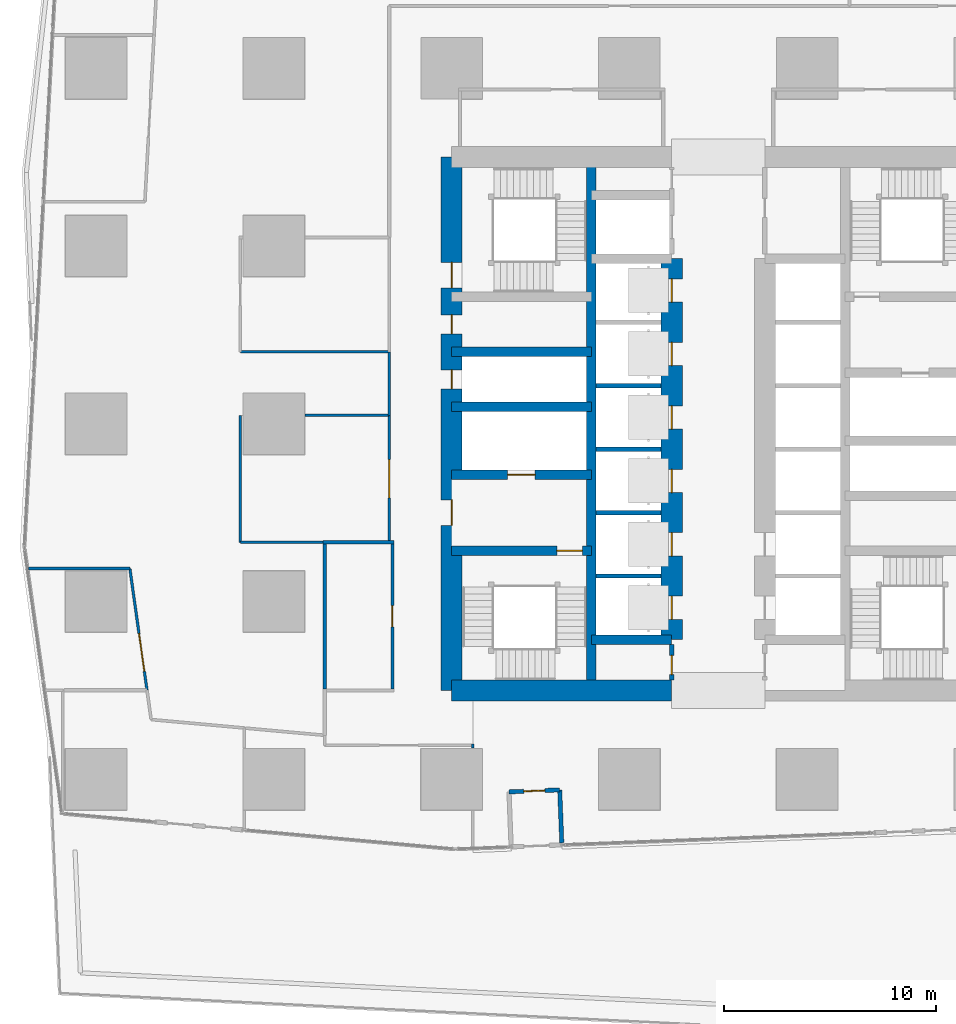
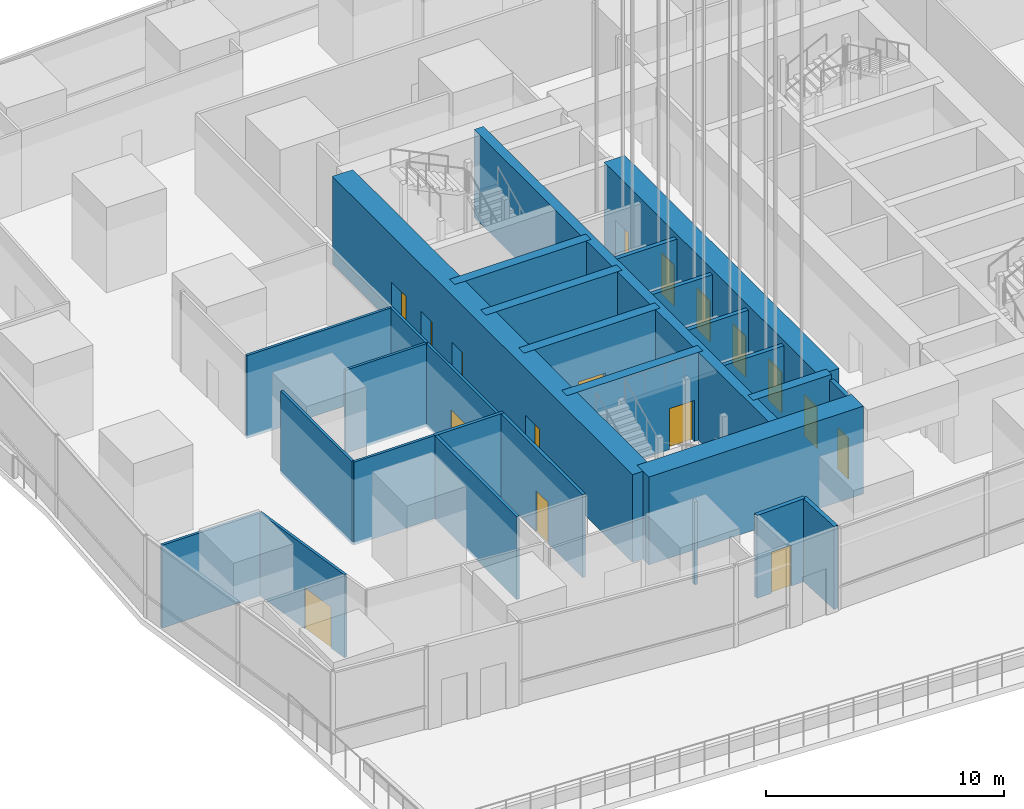
# One storey, part 19 of 44: 28 walls, 17 doors, 17 openings.
"""IFC4 building model written with IfcOpenShell, lengths in metres."""

from ifc_helpers import new_model, si_unit, direction, frame, frame_2d, origin, place, context, subcontext, project, spatial, rectangle, extrude, material, layer, layer_set, type_object, element, fill, save


model = new_model("IFC4")

# Units and contexts
model_context = context("Model", 3, precision=1e-05, world=origin(), true_north=direction((0.0, 1.0)))
body_context = subcontext(model_context, "Body", "Model", "MODEL_VIEW")
ifc_project = project(units=[si_unit("LENGTHUNIT", "METRE"), si_unit("AREAUNIT", "SQUARE_METRE"), si_unit("VOLUMEUNIT", "CUBIC_METRE"), si_unit("PLANEANGLEUNIT", "RADIAN"), si_unit("MASSUNIT", "GRAM", prefix="KILO")], contexts=[model_context])

# Site, building, storey
site_placement = place(None, origin())
site = spatial("IfcSite", under=ifc_project, at=site_placement, CompositionType="ELEMENT")
building_placement = place(site_placement, origin())
building = spatial("IfcBuilding", under=site, at=building_placement, Name="Rekha Terrace Tower", CompositionType="ELEMENT")
storey_placement = place(building_placement, frame((0.0, 0.0, 90.800048828125)))
storey = spatial("IfcBuildingStorey", under=building, at=storey_placement, Name="L22", CompositionType="ELEMENT", Elevation=90.800048828125)

# Walls
ifc_material_1 = material(Name="Concrete M70", Category="concrete")
ifc_layer_1 = layer(ifc_material_1, 0.449951171875)
ifc_layer_set_1 = layer_set([ifc_layer_1], Name="Concrete M70")
wall_type_1 = type_object("IfcWallType", Name="CI2 450 core internal shear wall", PredefinedType="SHEAR", material=ifc_layer_set_1)
wall_1_placement = place(storey_placement, frame((31.800048828125, 21.0, 0.0), z_axis=(0.0, 0.0, 1.0), x_axis=(0.0, 1.0, 0.0)))
element("IfcWall", 1, at=wall_1_placement, inside=storey, type_object=wall_type_1, Name="Core wall X318 L22", PredefinedType="SHEAR", context=body_context, shape_type="SweptSolid", body=[
    extrude(rectangle(XDim=25.199951171875, YDim=0.449951171875, at=frame_2d((12.60009765625, 0.0))), origin(), (0.0, 0.0, 1.0), 4.5),
])
wall_2_placement = place(storey_placement, frame((31.800048828125, 23.39990234375, 0.0), z_axis=(0.0, 0.0, 1.0), x_axis=(1.0, 0.0, 0.0)))
element("IfcWall", 2, at=wall_2_placement, inside=storey, type_object=wall_type_1, Name="Core wall Y234W L22", PredefinedType="SHEAR", context=body_context, shape_type="SweptSolid", body=[
    extrude(rectangle(XDim=3.800048828125, YDim=0.449951171875, at=frame_2d((1.89990234375, 0.0))), origin(), (0.0, 0.0, 1.0), 4.5),
])

# Wall, opening, door
wall_3_placement = place(storey_placement, frame((25.199951171875, 27.60009765625, 0.0), z_axis=(0.0, 0.0, 1.0), x_axis=(1.0, 0.0, 0.0)))
wall_3 = element("IfcWall", 3, at=wall_3_placement, inside=storey, type_object=wall_type_1, Name="Core wall Y276W L22", PredefinedType="SHEAR", context=body_context, shape_type="SweptSolid", body=[
    extrude(rectangle(XDim=6.60009765625, YDim=0.449951171875, at=frame_2d((3.300048828125, 0.0))), origin(), (0.0, 0.0, 1.0), 4.5),
])
opening_1_placement = place(wall_3_placement, frame((4.97509765625, 0.0, 0.0)))
opening_1 = element("IfcOpeningElement", 4, at=opening_1_placement, cuts=wall_3, Name="Opening D1", PredefinedType="OPENING", context=body_context, shape_type="SweptSolid", body=[
    extrude(rectangle(XDim=1.199951171875, YDim=2.10009765625, at=frame_2d((0.60009765625, 1.050048828125))), frame((0.0, 0.23486328125, 0.0), z_axis=(0.0, -1.0, 0.0), x_axis=(1.0, 0.0, 0.0)), (0.0, 0.0, 1.0), 0.469970703125),
])
ifc_material_2 = material(Name="Steel fire door", Category="steel")
door_type_1 = type_object("IfcDoorType", Name="D1 1200x2100 stair fire door", OperationType="SINGLE_SWING_RIGHT", PredefinedType="DOOR", material=ifc_material_2)
door_1_placement = place(opening_1_placement, origin())
door_1 = element("IfcDoor", 5, at=door_1_placement, inside=storey, type_object=door_type_1, Name="Stair ST1 door L22", OperationType="SINGLE_SWING_RIGHT", OverallHeight=2.10009765625, OverallWidth=1.199951171875, PredefinedType="DOOR", context=body_context, shape_type="SweptSolid", body=[
    extrude(rectangle(XDim=1.199951171875, YDim=2.10009765625, at=frame_2d((0.60009765625, 1.050048828125))), frame((0.0, 0.02490234375, 0.0), z_axis=(0.0, -1.0, 0.0), x_axis=(1.0, 0.0, 0.0)), (0.0, 0.0, 1.0), 0.050048828125),
])
fill(opening_1, door_1)

wall_4_placement = place(storey_placement, frame((25.199951171875, 31.199951171875, 0.0), z_axis=(0.0, 0.0, 1.0), x_axis=(1.0, 0.0, 0.0)))
wall_4 = element("IfcWall", 6, at=wall_4_placement, inside=storey, type_object=wall_type_1, Name="Core wall Y312W L22", PredefinedType="SHEAR", context=body_context, shape_type="SweptSolid", body=[
    extrude(rectangle(XDim=6.60009765625, YDim=0.449951171875, at=frame_2d((3.300048828125, 0.0))), origin(), (0.0, 0.0, 1.0), 4.5),
])
opening_2_placement = place(wall_4_placement, frame((2.64990234375, 0.0, 0.0)))
opening_2 = element("IfcOpeningElement", 7, at=opening_2_placement, cuts=wall_4, Name="Opening LD2", PredefinedType="OPENING", context=body_context, shape_type="SweptSolid", body=[
    extrude(rectangle(XDim=1.300048828125, YDim=2.10009765625, at=frame_2d((0.64990234375, 1.050048828125))), frame((0.0, 0.23486328125, 0.0), z_axis=(0.0, -1.0, 0.0), x_axis=(1.0, 0.0, 0.0)), (0.0, 0.0, 1.0), 0.469970703125),
])
ifc_material_3 = material(Name="Stainless steel sliding landing door", Category="steel")
door_type_2 = type_object("IfcDoorType", Name="LD2 1300x2100 fire lift landing door", OperationType="SLIDING_TO_LEFT", PredefinedType="USERDEFINED", material=ifc_material_3)
door_2_placement = place(opening_2_placement, origin())
door_2 = element("IfcDoor", 8, at=door_2_placement, inside=storey, type_object=door_type_2, Name="Lift FL1 landing door L22", ObjectType="LIFT LANDING DOOR", OperationType="SLIDING_TO_LEFT", OverallHeight=2.10009765625, OverallWidth=1.300048828125, PredefinedType="USERDEFINED", context=body_context, shape_type="SweptSolid", body=[
    extrude(rectangle(XDim=1.300048828125, YDim=2.10009765625, at=frame_2d((0.64990234375, 1.050048828125))), frame((0.0, 0.02490234375, 0.0), z_axis=(0.0, -1.0, 0.0), x_axis=(1.0, 0.0, 0.0)), (0.0, 0.0, 1.0), 0.050048828125),
])
fill(opening_2, door_2)

# Walls
for number, where, z_axis, x_axis, name in (
    (9, (25.199951171875, 34.39990234375, 0.0), (0.0, 0.0, 1.0), (1.0, 0.0, 0.0), "Core wall Y344W L22"),
    (10, (25.199951171875, 37.0, 0.0), (0.0, 0.0, 1.0), (1.0, 0.0, 0.0), "Core wall Y370W L22"),
):
    element("IfcWall", number, at=place(storey_placement, frame(where, z_axis=z_axis, x_axis=x_axis)), inside=storey, type_object=wall_type_1, Name=name, PredefinedType="SHEAR", context=body_context, shape_type="SweptSolid", body=[
        extrude(rectangle(XDim=6.60009765625, YDim=0.449951171875, at=frame_2d((3.300048828125, 0.0))), origin(), (0.0, 0.0, 1.0), 4.5),
    ])

# Wall, openings, doors
ifc_layer_2 = layer(ifc_material_1, 1.0)
ifc_layer_set_2 = layer_set([ifc_layer_2], Name="Concrete M70")
wall_type_2 = type_object("IfcWallType", Name="LW2 1000 core lobby wall at an outrigger level", PredefinedType="SHEAR", material=ifc_layer_set_2)
wall_5_placement = place(storey_placement, frame((35.60009765625, 23.39990234375, 0.0), z_axis=(0.0, 0.0, 1.0), x_axis=(0.0, 1.0, 0.0)))
wall_5 = element("IfcWall", 11, at=wall_5_placement, inside=storey, type_object=wall_type_2, Name="Core wall X356 L22", PredefinedType="SHEAR", context=body_context, shape_type="SweptSolid", body=[
    extrude(rectangle(XDim=18.0, YDim=1.0, at=frame_2d((9.0, 0.0))), origin(), (0.0, 0.0, 1.0), 4.5),
])
opening_3_placement = place(wall_5_placement, frame((0.949951171875, 0.0, 0.0)))
opening_3 = element("IfcOpeningElement", 12, at=opening_3_placement, cuts=wall_5, Name="Opening LD1", PredefinedType="OPENING", context=body_context, shape_type="SweptSolid", body=[
    extrude(rectangle(XDim=1.10009765625, YDim=2.10009765625, at=frame_2d((0.550048828125, 1.050048828125))), frame((0.0, 0.510009765625, 0.0), z_axis=(0.0, -1.0, 0.0), x_axis=(1.0, 0.0, 0.0)), (0.0, 0.0, 1.0), 1.02001953125),
])
opening_4_placement = place(wall_5_placement, frame((3.949951171875, 0.0, 0.0)))
opening_4 = element("IfcOpeningElement", 13, at=opening_4_placement, cuts=wall_5, Name="Opening LD1", PredefinedType="OPENING", context=body_context, shape_type="SweptSolid", body=[
    extrude(rectangle(XDim=1.10009765625, YDim=2.10009765625, at=frame_2d((0.550048828125, 1.050048828125))), frame((0.0, 0.510009765625, 0.0), z_axis=(0.0, -1.0, 0.0), x_axis=(1.0, 0.0, 0.0)), (0.0, 0.0, 1.0), 1.02001953125),
])
opening_5_placement = place(wall_5_placement, frame((6.949951171875, 0.0, 0.0)))
opening_5 = element("IfcOpeningElement", 14, at=opening_5_placement, cuts=wall_5, Name="Opening LD1", PredefinedType="OPENING", context=body_context, shape_type="SweptSolid", body=[
    extrude(rectangle(XDim=1.10009765625, YDim=2.10009765625, at=frame_2d((0.550048828125, 1.050048828125))), frame((0.0, 0.510009765625, 0.0), z_axis=(0.0, -1.0, 0.0), x_axis=(1.0, 0.0, 0.0)), (0.0, 0.0, 1.0), 1.02001953125),
])
opening_6_placement = place(wall_5_placement, frame((9.949951171875, 0.0, 0.0)))
opening_6 = element("IfcOpeningElement", 15, at=opening_6_placement, cuts=wall_5, Name="Opening LD1", PredefinedType="OPENING", context=body_context, shape_type="SweptSolid", body=[
    extrude(rectangle(XDim=1.10009765625, YDim=2.10009765625, at=frame_2d((0.550048828125, 1.050048828125))), frame((0.0, 0.510009765625, 0.0), z_axis=(0.0, -1.0, 0.0), x_axis=(1.0, 0.0, 0.0)), (0.0, 0.0, 1.0), 1.02001953125),
])
opening_7_placement = place(wall_5_placement, frame((12.949951171875, 0.0, 0.0)))
opening_7 = element("IfcOpeningElement", 16, at=opening_7_placement, cuts=wall_5, Name="Opening LD1", PredefinedType="OPENING", context=body_context, shape_type="SweptSolid", body=[
    extrude(rectangle(XDim=1.10009765625, YDim=2.10009765625, at=frame_2d((0.550048828125, 1.050048828125))), frame((0.0, 0.510009765625, 0.0), z_axis=(0.0, -1.0, 0.0), x_axis=(1.0, 0.0, 0.0)), (0.0, 0.0, 1.0), 1.02001953125),
])
opening_8_placement = place(wall_5_placement, frame((15.949951171875, 0.0, 0.0)))
opening_8 = element("IfcOpeningElement", 17, at=opening_8_placement, cuts=wall_5, Name="Opening LD1", PredefinedType="OPENING", context=body_context, shape_type="SweptSolid", body=[
    extrude(rectangle(XDim=1.10009765625, YDim=2.10009765625, at=frame_2d((0.550048828125, 1.050048828125))), frame((0.0, 0.510009765625, 0.0), z_axis=(0.0, -1.0, 0.0), x_axis=(1.0, 0.0, 0.0)), (0.0, 0.0, 1.0), 1.02001953125),
])
door_type_3 = type_object("IfcDoorType", Name="LD1 1100x2100 lift landing door", OperationType="SLIDING_TO_LEFT", PredefinedType="USERDEFINED", material=ifc_material_3)
door_3_placement = place(opening_3_placement, origin())
door_3 = element("IfcDoor", 18, at=door_3_placement, inside=storey, type_object=door_type_3, Name="Lift B1 landing door L22", ObjectType="LIFT LANDING DOOR", OperationType="SLIDING_TO_LEFT", OverallHeight=2.10009765625, OverallWidth=1.10009765625, PredefinedType="USERDEFINED", context=body_context, shape_type="SweptSolid", body=[
    extrude(rectangle(XDim=1.10009765625, YDim=2.10009765625, at=frame_2d((0.550048828125, 1.050048828125))), frame((0.0, 0.02490234375, 0.0), z_axis=(0.0, -1.0, 0.0), x_axis=(1.0, 0.0, 0.0)), (0.0, 0.0, 1.0), 0.050048828125),
])
fill(opening_3, door_3)
door_4_placement = place(opening_4_placement, origin())
door_4 = element("IfcDoor", 19, at=door_4_placement, inside=storey, type_object=door_type_3, Name="Lift B2 landing door L22", ObjectType="LIFT LANDING DOOR", OperationType="SLIDING_TO_LEFT", OverallHeight=2.10009765625, OverallWidth=1.10009765625, PredefinedType="USERDEFINED", context=body_context, shape_type="SweptSolid", body=[
    extrude(rectangle(XDim=1.10009765625, YDim=2.10009765625, at=frame_2d((0.550048828125, 1.050048828125))), frame((0.0, 0.02490234375, 0.0), z_axis=(0.0, -1.0, 0.0), x_axis=(1.0, 0.0, 0.0)), (0.0, 0.0, 1.0), 0.050048828125),
])
fill(opening_4, door_4)
door_5_placement = place(opening_5_placement, origin())
door_5 = element("IfcDoor", 20, at=door_5_placement, inside=storey, type_object=door_type_3, Name="Lift B3 landing door L22", ObjectType="LIFT LANDING DOOR", OperationType="SLIDING_TO_LEFT", OverallHeight=2.10009765625, OverallWidth=1.10009765625, PredefinedType="USERDEFINED", context=body_context, shape_type="SweptSolid", body=[
    extrude(rectangle(XDim=1.10009765625, YDim=2.10009765625, at=frame_2d((0.550048828125, 1.050048828125))), frame((0.0, 0.02490234375, 0.0), z_axis=(0.0, -1.0, 0.0), x_axis=(1.0, 0.0, 0.0)), (0.0, 0.0, 1.0), 0.050048828125),
])
fill(opening_5, door_5)
door_6_placement = place(opening_6_placement, origin())
door_6 = element("IfcDoor", 21, at=door_6_placement, inside=storey, type_object=door_type_3, Name="Lift B4 landing door L22", ObjectType="LIFT LANDING DOOR", OperationType="SLIDING_TO_LEFT", OverallHeight=2.10009765625, OverallWidth=1.10009765625, PredefinedType="USERDEFINED", context=body_context, shape_type="SweptSolid", body=[
    extrude(rectangle(XDim=1.10009765625, YDim=2.10009765625, at=frame_2d((0.550048828125, 1.050048828125))), frame((0.0, 0.02490234375, 0.0), z_axis=(0.0, -1.0, 0.0), x_axis=(1.0, 0.0, 0.0)), (0.0, 0.0, 1.0), 0.050048828125),
])
fill(opening_6, door_6)
door_7_placement = place(opening_7_placement, origin())
door_7 = element("IfcDoor", 22, at=door_7_placement, inside=storey, type_object=door_type_3, Name="Lift B5 landing door L22", ObjectType="LIFT LANDING DOOR", OperationType="SLIDING_TO_LEFT", OverallHeight=2.10009765625, OverallWidth=1.10009765625, PredefinedType="USERDEFINED", context=body_context, shape_type="SweptSolid", body=[
    extrude(rectangle(XDim=1.10009765625, YDim=2.10009765625, at=frame_2d((0.550048828125, 1.050048828125))), frame((0.0, 0.02490234375, 0.0), z_axis=(0.0, -1.0, 0.0), x_axis=(1.0, 0.0, 0.0)), (0.0, 0.0, 1.0), 0.050048828125),
])
fill(opening_7, door_7)
door_8_placement = place(opening_8_placement, origin())
door_8 = element("IfcDoor", 23, at=door_8_placement, inside=storey, type_object=door_type_3, Name="Lift B6 landing door L22", ObjectType="LIFT LANDING DOOR", OperationType="SLIDING_TO_LEFT", OverallHeight=2.10009765625, OverallWidth=1.10009765625, PredefinedType="USERDEFINED", context=body_context, shape_type="SweptSolid", body=[
    extrude(rectangle(XDim=1.10009765625, YDim=2.10009765625, at=frame_2d((0.550048828125, 1.050048828125))), frame((0.0, 0.02490234375, 0.0), z_axis=(0.0, -1.0, 0.0), x_axis=(1.0, 0.0, 0.0)), (0.0, 0.0, 1.0), 0.050048828125),
])
fill(opening_8, door_8)

# Wall
ifc_layer_3 = layer(ifc_material_1, 1.0)
ifc_layer_set_3 = layer_set([ifc_layer_3], Name="Concrete M70")
wall_type_3 = type_object("IfcWallType", Name="SW2 1000 core outer shear wall", PredefinedType="SHEAR", material=ifc_layer_set_3)
wall_6_placement = place(storey_placement, frame((25.199951171875, 21.0, 0.0), z_axis=(0.0, 0.0, 1.0), x_axis=(1.0, 0.0, 0.0)))
element("IfcWall", 24, at=wall_6_placement, inside=storey, type_object=wall_type_3, Name="Core wall S1 L22", PredefinedType="SHEAR", context=body_context, shape_type="SweptSolid", body=[
    extrude(rectangle(XDim=10.400146484375, YDim=1.0, at=frame_2d((5.2001953125, 0.0))), origin(), (0.0, 0.0, 1.0), 4.5),
])

# Wall, openings, doors
wall_7_placement = place(storey_placement, frame((25.199951171875, 21.0, 0.0), z_axis=(0.0, 0.0, 1.0), x_axis=(0.0, 1.0, 0.0)))
wall_7 = element("IfcWall", 25, at=wall_7_placement, inside=storey, type_object=wall_type_3, Name="Core wall W L22", PredefinedType="SHEAR", context=body_context, shape_type="SweptSolid", body=[
    extrude(rectangle(XDim=25.199951171875, YDim=1.0, at=frame_2d((12.60009765625, 0.0))), origin(), (0.0, 0.0, 1.0), 4.5),
])
opening_9_placement = place(wall_7_placement, frame((7.800048828125, 0.0, 0.0)))
opening_9 = element("IfcOpeningElement", 26, at=opening_9_placement, cuts=wall_7, Name="Opening D2", PredefinedType="OPENING", context=body_context, shape_type="SweptSolid", body=[
    extrude(rectangle(XDim=1.199951171875, YDim=2.10009765625, at=frame_2d((0.60009765625, 1.050048828125))), frame((0.0, 0.510009765625, 0.0), z_axis=(0.0, -1.0, 0.0), x_axis=(1.0, 0.0, 0.0)), (0.0, 0.0, 1.0), 1.02001953125),
])
opening_10_placement = place(wall_7_placement, frame((14.25, 0.0, 0.0)))
opening_10 = element("IfcOpeningElement", 27, at=opening_10_placement, cuts=wall_7, Name="Opening D5", PredefinedType="OPENING", context=body_context, shape_type="SweptSolid", body=[
    extrude(rectangle(XDim=0.89990234375, YDim=2.10009765625, at=frame_2d((0.449951171875, 1.050048828125))), frame((0.0, 0.510009765625, 0.0), z_axis=(0.0, -1.0, 0.0), x_axis=(1.0, 0.0, 0.0)), (0.0, 0.0, 1.0), 1.02001953125),
])
opening_11_placement = place(wall_7_placement, frame((16.85009765625, 0.0, 0.0)))
opening_11 = element("IfcOpeningElement", 28, at=opening_11_placement, cuts=wall_7, Name="Opening D5", PredefinedType="OPENING", context=body_context, shape_type="SweptSolid", body=[
    extrude(rectangle(XDim=0.89990234375, YDim=2.10009765625, at=frame_2d((0.449951171875, 1.050048828125))), frame((0.0, 0.510009765625, 0.0), z_axis=(0.0, -1.0, 0.0), x_axis=(1.0, 0.0, 0.0)), (0.0, 0.0, 1.0), 1.02001953125),
])
opening_12_placement = place(wall_7_placement, frame((19.02490234375, 0.0, 0.0)))
opening_12 = element("IfcOpeningElement", 29, at=opening_12_placement, cuts=wall_7, Name="Opening D1", PredefinedType="OPENING", context=body_context, shape_type="SweptSolid", body=[
    extrude(rectangle(XDim=1.199951171875, YDim=2.10009765625, at=frame_2d((0.60009765625, 1.050048828125))), frame((0.0, 0.510009765625, 0.0), z_axis=(0.0, -1.0, 0.0), x_axis=(1.0, 0.0, 0.0)), (0.0, 0.0, 1.0), 1.02001953125),
])
door_9_placement = place(opening_12_placement, origin())
door_9 = element("IfcDoor", 30, at=door_9_placement, inside=storey, type_object=door_type_1, Name="Stair ST4 door L22", OperationType="SINGLE_SWING_RIGHT", OverallHeight=2.10009765625, OverallWidth=1.199951171875, PredefinedType="DOOR", context=body_context, shape_type="SweptSolid", body=[
    extrude(rectangle(XDim=1.199951171875, YDim=2.10009765625, at=frame_2d((0.60009765625, 1.050048828125))), frame((0.0, 0.02490234375, 0.0), z_axis=(0.0, -1.0, 0.0), x_axis=(1.0, 0.0, 0.0)), (0.0, 0.0, 1.0), 0.050048828125),
])
fill(opening_12, door_9)
door_type_4 = type_object("IfcDoorType", Name="D2 1200x2100 firefighting lobby door", OperationType="SINGLE_SWING_LEFT", PredefinedType="DOOR", material=ifc_material_2)
door_10_placement = place(opening_9_placement, origin())
door_10 = element("IfcDoor", 31, at=door_10_placement, inside=storey, type_object=door_type_4, Name="Door flb1 L22", OperationType="SINGLE_SWING_LEFT", OverallHeight=2.10009765625, OverallWidth=1.199951171875, PredefinedType="DOOR", context=body_context, shape_type="SweptSolid", body=[
    extrude(rectangle(XDim=1.199951171875, YDim=2.10009765625, at=frame_2d((0.60009765625, 1.050048828125))), frame((0.0, 0.02490234375, 0.0), z_axis=(0.0, -1.0, 0.0), x_axis=(1.0, 0.0, 0.0)), (0.0, 0.0, 1.0), 0.050048828125),
])
fill(opening_9, door_10)
door_type_5 = type_object("IfcDoorType", Name="D5 900x2100 riser access door", OperationType="SINGLE_SWING_LEFT", PredefinedType="DOOR", material=ifc_material_2)
door_11_placement = place(opening_10_placement, origin())
door_11 = element("IfcDoor", 32, at=door_11_placement, inside=storey, type_object=door_type_5, Name="Door rs1 L22", OperationType="SINGLE_SWING_LEFT", OverallHeight=2.10009765625, OverallWidth=0.89990234375, PredefinedType="DOOR", context=body_context, shape_type="SweptSolid", body=[
    extrude(rectangle(XDim=0.89990234375, YDim=2.10009765625, at=frame_2d((0.449951171875, 1.050048828125))), frame((0.0, 0.02490234375, 0.0), z_axis=(0.0, -1.0, 0.0), x_axis=(1.0, 0.0, 0.0)), (0.0, 0.0, 1.0), 0.050048828125),
])
fill(opening_10, door_11)
door_12_placement = place(opening_11_placement, origin())
door_12 = element("IfcDoor", 33, at=door_12_placement, inside=storey, type_object=door_type_5, Name="Door elw L22", OperationType="SINGLE_SWING_LEFT", OverallHeight=2.10009765625, OverallWidth=0.89990234375, PredefinedType="DOOR", context=body_context, shape_type="SweptSolid", body=[
    extrude(rectangle(XDim=0.89990234375, YDim=2.10009765625, at=frame_2d((0.449951171875, 1.050048828125))), frame((0.0, 0.02490234375, 0.0), z_axis=(0.0, -1.0, 0.0), x_axis=(1.0, 0.0, 0.0)), (0.0, 0.0, 1.0), 0.050048828125),
])
fill(opening_11, door_12)

# Wall, opening, door
ifc_material_4 = material(Name="Solid concrete block masonry, 2 hour", Category="masonry")
ifc_layer_4 = layer(ifc_material_4, 0.199951171875)
ifc_layer_set_4 = layer_set([ifc_layer_4], Name="Solid concrete block masonry, 2 hour")
wall_type_4 = type_object("IfcWallType", Name="WP1 200 plant room wall", PredefinedType="PARTITIONING", material=ifc_layer_set_4)
wall_8_placement = place(storey_placement, frame((27.908935546875, 16.202880859375, 0.0), z_axis=(0.0, 0.0, 1.0), x_axis=(0.999248497687, 0.038761319244, 0.0)))
wall_8 = element("IfcWall", 34, at=wall_8_placement, inside=storey, type_object=wall_type_4, Name="Partition L22-MS", PredefinedType="PARTITIONING", context=body_context, shape_type="SweptSolid", body=[
    extrude(rectangle(XDim=2.399658203125, YDim=0.199951171875, at=frame_2d((1.19970703125, 0.0))), origin(), (0.0, 0.0, 1.0), 4.25),
])
opening_13_placement = place(wall_8_placement, frame((0.699951171875, 0.0, 0.0)))
opening_13 = element("IfcOpeningElement", 35, at=opening_13_placement, cuts=wall_8, Name="Opening D9", PredefinedType="OPENING", context=body_context, shape_type="SweptSolid", body=[
    extrude(rectangle(XDim=1.0, YDim=2.10009765625, at=frame_2d((0.5, 1.050048828125))), frame((0.0, 0.10986328125, 0.0), z_axis=(0.0, -1.0, 0.0), x_axis=(1.0, 0.0, 0.0)), (0.0, 0.0, 1.0), 0.219970703125),
])
ifc_material_5 = material(Name="Timber fire door", Category="wood")
door_type_6 = type_object("IfcDoorType", Name="D9 1000x2100 office door", OperationType="SINGLE_SWING_LEFT", PredefinedType="DOOR", material=ifc_material_5)
door_13_placement = place(opening_13_placement, origin())
door_13 = element("IfcDoor", 36, at=door_13_placement, inside=storey, type_object=door_type_6, Name="Door terrace maintenance store L22", OperationType="SINGLE_SWING_LEFT", OverallHeight=2.10009765625, OverallWidth=1.0, PredefinedType="DOOR", context=body_context, shape_type="SweptSolid", body=[
    extrude(rectangle(XDim=1.0, YDim=2.10009765625, at=frame_2d((0.5, 1.050048828125))), frame((0.0, 0.02490234375, 0.0), z_axis=(0.0, -1.0, 0.0), x_axis=(1.0, 0.0, 0.0)), (0.0, 0.0, 1.0), 0.050048828125),
])
fill(opening_13, door_13)

# Walls
wall_9_placement = place(storey_placement, frame((30.306884765625, 16.2958984375, 0.0), z_axis=(0.0, 0.0, 1.0), x_axis=(0.038871976468, -0.999244199105, 0.0)))
element("IfcWall", 37, at=wall_9_placement, inside=storey, type_object=wall_type_4, Name="Partition L22-MS", PredefinedType="PARTITIONING", context=body_context, shape_type="SweptSolid", body=[
    extrude(rectangle(XDim=2.499755859375, YDim=0.199951171875, at=frame_2d((1.25, 0.0))), origin(), (0.0, 0.0, 1.0), 4.25),
])
ifc_material_6 = material(Name="Concrete block masonry, 1 hour", Category="masonry")
ifc_layer_5 = layer(ifc_material_6, 0.14990234375)
ifc_layer_set_5 = layer_set([ifc_layer_5], Name="Concrete block masonry, 1 hour")
wall_type_5 = type_object("IfcWallType", Name="WP2 150 tenancy partition", PredefinedType="PARTITIONING", material=ifc_layer_set_5)
wall_10_placement = place(storey_placement, frame((19.125, 28.0, 0.0), z_axis=(0.0, 0.0, 1.0), x_axis=(1.0, 0.0, 0.0)))
element("IfcWall", 38, at=wall_10_placement, inside=storey, type_object=wall_type_5, Name="Men's WC wall L22", PredefinedType="PARTITIONING", context=body_context, shape_type="SweptSolid", body=[
    extrude(rectangle(XDim=3.35009765625, YDim=0.14990234375, at=frame_2d((1.675048828125, 0.0))), origin(), (0.0, 0.0, 1.0), 4.25),
])
wall_11_placement = place(storey_placement, frame((19.199951171875, 21.074951171875, 0.0), z_axis=(0.0, 0.0, 1.0), x_axis=(0.0, 1.0, 0.0)))
element("IfcWall", 39, at=wall_11_placement, inside=storey, type_object=wall_type_5, Name="Men's WC wall L22", PredefinedType="PARTITIONING", context=body_context, shape_type="SweptSolid", body=[
    extrude(rectangle(XDim=6.85009765625, YDim=0.14990234375, at=frame_2d((3.425048828125, 0.0))), origin(), (0.0, 0.0, 1.0), 4.25),
])

# Wall, opening, door
wall_12_placement = place(storey_placement, frame((22.39990234375, 21.074951171875, 0.0), z_axis=(0.0, 0.0, 1.0), x_axis=(0.0, 1.0, 0.0)))
wall_12 = element("IfcWall", 40, at=wall_12_placement, inside=storey, type_object=wall_type_5, Name="Men's WC wall L22", PredefinedType="PARTITIONING", context=body_context, shape_type="SweptSolid", body=[
    extrude(rectangle(XDim=6.85009765625, YDim=0.14990234375, at=frame_2d((3.425048828125, 0.0))), origin(), (0.0, 0.0, 1.0), 4.25),
])
opening_14_placement = place(wall_12_placement, frame((2.925048828125, 0.0, 0.0)))
opening_14 = element("IfcOpeningElement", 41, at=opening_14_placement, cuts=wall_12, Name="Opening D3", PredefinedType="OPENING", context=body_context, shape_type="SweptSolid", body=[
    extrude(rectangle(XDim=1.0, YDim=2.10009765625, at=frame_2d((0.5, 1.050048828125))), frame((0.0, 0.0849609375, 0.0), z_axis=(0.0, -1.0, 0.0), x_axis=(1.0, 0.0, 0.0)), (0.0, 0.0, 1.0), 0.169921875),
])
ifc_material_7 = material(Name="Laminated timber fire door", Category="wood")
door_type_7 = type_object("IfcDoorType", Name="D3 1000x2100 WC door", OperationType="SINGLE_SWING_LEFT", PredefinedType="DOOR", material=ifc_material_7)
door_14_placement = place(opening_14_placement, origin())
door_14 = element("IfcDoor", 42, at=door_14_placement, inside=storey, type_object=door_type_7, Name="Door men's wc L22", OperationType="SINGLE_SWING_LEFT", OverallHeight=2.10009765625, OverallWidth=1.0, PredefinedType="DOOR", context=body_context, shape_type="SweptSolid", body=[
    extrude(rectangle(XDim=1.0, YDim=2.10009765625, at=frame_2d((0.5, 1.050048828125))), frame((0.0, 0.02490234375, 0.0), z_axis=(0.0, -1.0, 0.0), x_axis=(1.0, 0.0, 0.0)), (0.0, 0.0, 1.0), 0.050048828125),
])
fill(opening_14, door_14)

ifc_material_8 = material(Name="Two layers of fire-rated gypsum board each side on steel studs, acoustic quilt, 1 hour", Category="steel")
ifc_layer_6 = layer(ifc_material_8, 0.125)
ifc_layer_set_6 = layer_set([ifc_layer_6], Name="Two layers of fire-rated gypsum board each side on steel studs, acoustic quilt, 1 hour")
wall_type_6 = type_object("IfcWallType", Name="WP3 125 office partition", PredefinedType="PARTITIONING", material=ifc_layer_set_6)
wall_13_placement = place(storey_placement, frame((9.990966796875, 26.761962890625, 0.0), z_axis=(0.0, 0.0, 1.0), x_axis=(0.139620596627, -0.990205074213, 0.0)))
wall_13 = element("IfcWall", 43, at=wall_13_placement, inside=storey, type_object=wall_type_6, Name="Partition L22-13", PredefinedType="PARTITIONING", context=body_context, shape_type="SweptSolid", body=[
    extrude(rectangle(XDim=5.808837890625, YDim=0.125, at=frame_2d((2.904296875, 0.0))), origin(), (0.0, 0.0, 1.0), 4.25),
])
opening_15_placement = place(wall_13_placement, frame((3.10400390625, 0.0, 0.0)))
opening_15 = element("IfcOpeningElement", 44, at=opening_15_placement, cuts=wall_13, Name="Opening D8", PredefinedType="OPENING", context=body_context, shape_type="SweptSolid", body=[
    extrude(rectangle(XDim=1.800048828125, YDim=2.10009765625, at=frame_2d((0.89990234375, 1.050048828125))), frame((0.0, 0.072509765625, 0.0), z_axis=(0.0, -1.0, 0.0), x_axis=(1.0, 0.0, 0.0)), (0.0, 0.0, 1.0), 0.14501953125),
])
door_type_8 = type_object("IfcDoorType", Name="D8 1800x2100 double leaf door", OperationType="DOUBLE_DOOR_SINGLE_SWING", PredefinedType="DOOR", material=ifc_material_5)
door_15_placement = place(opening_15_placement, origin())
door_15 = element("IfcDoor", 45, at=door_15_placement, inside=storey, type_object=door_type_8, Name="Door business lounge L22", OperationType="DOUBLE_DOOR_SINGLE_SWING", OverallHeight=2.10009765625, OverallWidth=1.800048828125, PredefinedType="DOOR", context=body_context, shape_type="SweptSolid", body=[
    extrude(rectangle(XDim=1.800048828125, YDim=2.10009765625, at=frame_2d((0.89990234375, 1.050048828125))), frame((0.0, 0.02490234375, 0.0), z_axis=(0.0, -1.0, 0.0), x_axis=(1.0, 0.0, 0.0)), (0.0, 0.0, 1.0), 0.050048828125),
])
fill(opening_15, door_15)

# Walls
wall_14_placement = place(storey_placement, frame((5.194091796875, 26.761962890625, 0.0), z_axis=(0.0, 0.0, 1.0), x_axis=(1.0, 0.0, 0.0)))
element("IfcWall", 46, at=wall_14_placement, inside=storey, type_object=wall_type_6, Name="Partition L22-13", PredefinedType="PARTITIONING", context=body_context, shape_type="SweptSolid", body=[
    extrude(rectangle(XDim=4.796875, YDim=0.125, at=frame_2d((2.3984375, 0.0))), origin(), (0.0, 0.0, 1.0), 4.25),
])
wall_15_placement = place(storey_placement, frame((15.215087890625, 28.0, 0.0), z_axis=(0.0, 0.0, 1.0), x_axis=(0.0, 1.0, 0.0)))
element("IfcWall", 47, at=wall_15_placement, inside=storey, type_object=wall_type_6, Name="Partition L22-15", PredefinedType="PARTITIONING", context=body_context, shape_type="SweptSolid", body=[
    extrude(rectangle(XDim=6.0, YDim=0.125, at=frame_2d((3.0, 0.0))), origin(), (0.0, 0.0, 1.0), 4.25),
])
wall_16_placement = place(storey_placement, frame((18.27001953125, 34.0, 0.0), z_axis=(0.0, 0.0, 1.0), x_axis=(1.0, 0.0, 0.0)))
element("IfcWall", 48, at=wall_16_placement, inside=storey, type_object=wall_type_6, Name="Partition L22-15", PredefinedType="PARTITIONING", context=body_context, shape_type="SweptSolid", body=[
    extrude(rectangle(XDim=3.97998046875, YDim=0.125, at=frame_2d((1.989990234375, 0.0))), origin(), (0.0, 0.0, 1.0), 4.25),
])

# Wall, opening, door
wall_17_placement = place(storey_placement, frame((22.25, 34.0, 0.0), z_axis=(0.0, 0.0, 1.0), x_axis=(0.0, -1.0, 0.0)))
wall_17 = element("IfcWall", 49, at=wall_17_placement, inside=storey, type_object=wall_type_6, Name="Partition L22-15", PredefinedType="PARTITIONING", context=body_context, shape_type="SweptSolid", body=[
    extrude(rectangle(XDim=5.925048828125, YDim=0.125, at=frame_2d((2.96240234375, 0.0))), origin(), (0.0, 0.0, 1.0), 4.25),
])
opening_16_placement = place(wall_17_placement, frame((2.10009765625, 0.0, 0.0)))
opening_16 = element("IfcOpeningElement", 50, at=opening_16_placement, cuts=wall_17, Name="Opening D8", PredefinedType="OPENING", context=body_context, shape_type="SweptSolid", body=[
    extrude(rectangle(XDim=1.800048828125, YDim=2.10009765625, at=frame_2d((0.89990234375, 1.050048828125))), frame((0.0, 0.072509765625, 0.0), z_axis=(0.0, -1.0, 0.0), x_axis=(1.0, 0.0, 0.0)), (0.0, 0.0, 1.0), 0.14501953125),
])
door_16_placement = place(opening_16_placement, origin())
door_16 = element("IfcDoor", 51, at=door_16_placement, inside=storey, type_object=door_type_8, Name="Door reception L22", OperationType="DOUBLE_DOOR_SINGLE_SWING", OverallHeight=2.10009765625, OverallWidth=1.800048828125, PredefinedType="DOOR", context=body_context, shape_type="SweptSolid", body=[
    extrude(rectangle(XDim=1.800048828125, YDim=2.10009765625, at=frame_2d((0.89990234375, 1.050048828125))), frame((0.0, 0.02490234375, 0.0), z_axis=(0.0, -1.0, 0.0), x_axis=(1.0, 0.0, 0.0)), (0.0, 0.0, 1.0), 0.050048828125),
])
fill(opening_16, door_16)

# Walls
wall_18_placement = place(storey_placement, frame((19.125, 28.0, 0.0), z_axis=(0.0, 0.0, 1.0), x_axis=(-1.0, 0.0, 0.0)))
element("IfcWall", 52, at=wall_18_placement, inside=storey, type_object=wall_type_6, Name="Partition L22-15", PredefinedType="PARTITIONING", context=body_context, shape_type="SweptSolid", body=[
    extrude(rectangle(XDim=3.909912109375, YDim=0.125, at=frame_2d((1.955078125, 0.0))), origin(), (0.0, 0.0, 1.0), 4.25),
])
wall_19_placement = place(storey_placement, frame((15.215087890625, 37.0, 0.0), z_axis=(0.0, 0.0, 1.0), x_axis=(1.0, 0.0, 0.0)))
element("IfcWall", 53, at=wall_19_placement, inside=storey, type_object=wall_type_6, Name="Partition L22-16", PredefinedType="PARTITIONING", context=body_context, shape_type="SweptSolid", body=[
    extrude(rectangle(XDim=7.034912109375, YDim=0.125, at=frame_2d((3.517578125, 0.0))), origin(), (0.0, 0.0, 1.0), 4.25),
])
wall_20_placement = place(storey_placement, frame((22.25, 37.0, 0.0), z_axis=(0.0, 0.0, 1.0), x_axis=(0.0, -1.0, 0.0)))
element("IfcWall", 54, at=wall_20_placement, inside=storey, type_object=wall_type_6, Name="Partition L22-16", PredefinedType="PARTITIONING", context=body_context, shape_type="SweptSolid", body=[
    extrude(rectangle(XDim=3.0, YDim=0.125, at=frame_2d((1.5, 0.0))), origin(), (0.0, 0.0, 1.0), 4.25),
])
wall_21_placement = place(storey_placement, frame((26.199951171875, 18.4619140625, 0.0), z_axis=(0.0, 0.0, 1.0), x_axis=(0.0, -1.0, 0.0)))
element("IfcWall", 55, at=wall_21_placement, inside=storey, type_object=wall_type_6, Name="Partition L22-14", PredefinedType="PARTITIONING", context=body_context, shape_type="SweptSolid", body=[
    extrude(rectangle(XDim=0.19189453125, YDim=0.125, at=frame_2d((0.095947265625, 0.0))), origin(), (0.0, 0.0, 1.0), 4.25),
])
ifc_layer_7 = layer(ifc_material_4, 0.199951171875)
ifc_layer_set_7 = layer_set([ifc_layer_7], Name="Solid concrete block masonry, 2 hour")
wall_type_7 = type_object("IfcWallType", Name="WS1 200 stair and shaft enclosure", PredefinedType="PARTITIONING", material=ifc_layer_set_7)
for number, where, z_axis, x_axis, name in (
    (56, (32.02490234375, 26.39990234375, 0.0), (0.0, 0.0, 1.0), (1.0, 0.0, 0.0), "Lift shaft divider L22"),
    (57, (32.02490234375, 29.39990234375, 0.0), (0.0, 0.0, 1.0), (1.0, 0.0, 0.0), "Lift shaft divider L22"),
    (58, (32.02490234375, 32.39990234375, 0.0), (0.0, 0.0, 1.0), (1.0, 0.0, 0.0), "Lift shaft divider L22"),
    (59, (32.02490234375, 35.39990234375, 0.0), (0.0, 0.0, 1.0), (1.0, 0.0, 0.0), "Lift shaft divider L22"),
):
    element("IfcWall", number, at=place(storey_placement, frame(where, z_axis=z_axis, x_axis=x_axis)), inside=storey, type_object=wall_type_7, Name=name, PredefinedType="PARTITIONING", context=body_context, shape_type="SweptSolid", body=[
        extrude(rectangle(XDim=3.0751953125, YDim=0.199951171875, at=frame_2d((1.53759765625, 0.0))), origin(), (0.0, 0.0, 1.0), 4.25),
    ])

# Wall, opening, door
wall_22_placement = place(storey_placement, frame((35.60009765625, 21.5, 0.0), z_axis=(0.0, 0.0, 1.0), x_axis=(0.0, 1.0, 0.0)))
wall_22 = element("IfcWall", 60, at=wall_22_placement, inside=storey, type_object=wall_type_7, Name="Core partition west L22", PredefinedType="PARTITIONING", context=body_context, shape_type="SweptSolid", body=[
    extrude(rectangle(XDim=1.675048828125, YDim=0.199951171875, at=frame_2d((0.83740234375, 0.0))), origin(), (0.0, 0.0, 1.0), 4.25),
])
opening_17_placement = place(wall_22_placement, frame((0.25, 0.0, 0.0)))
opening_17 = element("IfcOpeningElement", 61, at=opening_17_placement, cuts=wall_22, Name="Opening D5", PredefinedType="OPENING", context=body_context, shape_type="SweptSolid", body=[
    extrude(rectangle(XDim=0.89990234375, YDim=2.10009765625, at=frame_2d((0.449951171875, 1.050048828125))), frame((0.0, 0.10986328125, 0.0), z_axis=(0.0, -1.0, 0.0), x_axis=(1.0, 0.0, 0.0)), (0.0, 0.0, 1.0), 0.219970703125),
])
door_17_placement = place(opening_17_placement, origin())
door_17 = element("IfcDoor", 62, at=door_17_placement, inside=storey, type_object=door_type_5, Name="Door it comms room L22", OperationType="SINGLE_SWING_LEFT", OverallHeight=2.10009765625, OverallWidth=0.89990234375, PredefinedType="DOOR", context=body_context, shape_type="SweptSolid", body=[
    extrude(rectangle(XDim=0.89990234375, YDim=2.10009765625, at=frame_2d((0.449951171875, 1.050048828125))), frame((0.0, 0.02490234375, 0.0), z_axis=(0.0, -1.0, 0.0), x_axis=(1.0, 0.0, 0.0)), (0.0, 0.0, 1.0), 0.050048828125),
])
fill(opening_17, door_17)

save(model, "model.ifc")
